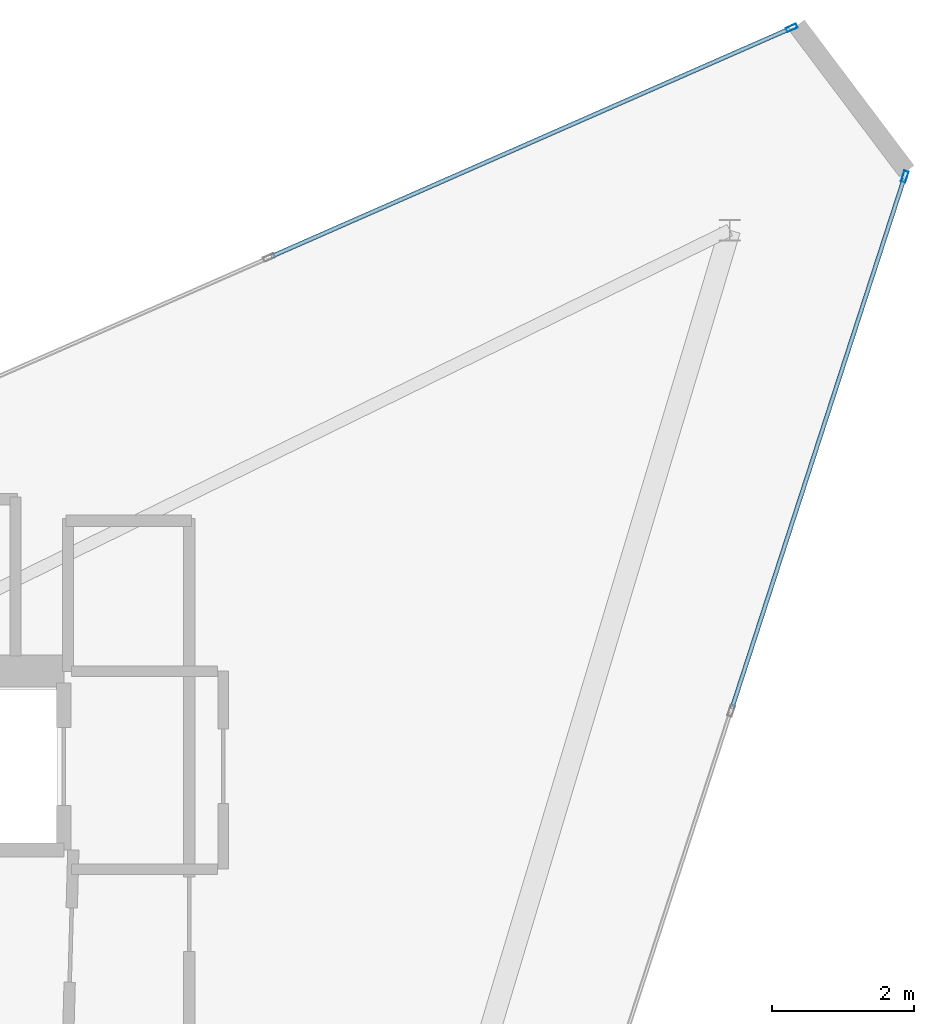
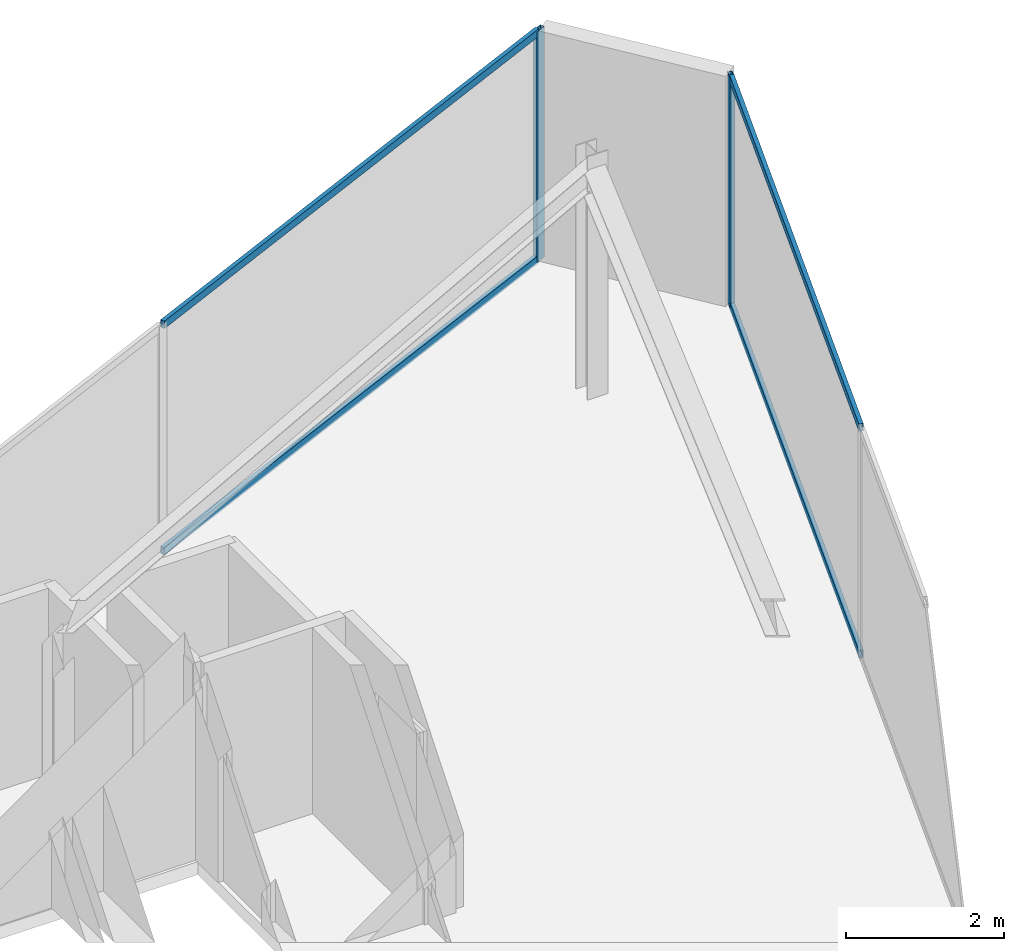
# One storey, part 11 of 14: 6 members, 2 elements without a shape of their own.
"""IFC4 building model written with IfcOpenShell, lengths in metres."""

from ifc_helpers import new_model, si_unit, direction, frame, origin, origin_2d, place, context, subcontext, project, spatial, hollow_rectangle, extrude, material, layer, layer_set, material_profile, profile_set, type_object, element, aggregate, save


model = new_model("IFC4")

# Units and contexts
model_context = context("Model", 3, precision=1e-05, world=origin(), true_north=direction((0.0, 1.0)))
body_context = subcontext(model_context, "Body", "Model", "MODEL_VIEW")
ifc_project = project(units=[si_unit("LENGTHUNIT", "METRE"), si_unit("AREAUNIT", "SQUARE_METRE"), si_unit("VOLUMEUNIT", "CUBIC_METRE"), si_unit("PLANEANGLEUNIT", "RADIAN"), si_unit("MASSUNIT", "GRAM", prefix="KILO")], contexts=[model_context])

# Site, building, storey
site_placement = place(None, origin())
site = spatial("IfcSite", under=ifc_project, at=site_placement, CompositionType="ELEMENT")
building_placement = place(site_placement, origin())
building = spatial("IfcBuilding", under=site, at=building_placement, Name="Qianvela Tower", CompositionType="ELEMENT")
storey_placement = place(building_placement, frame((0.0, 0.0, 371.300048828125)))
storey = spatial("IfcBuildingStorey", under=building, at=storey_placement, Name="L96", CompositionType="ELEMENT", Elevation=371.300048828125)

# Curtain wall, member
ifc_material_1 = material(Name="Anodised Architectural Aluminium and Low-E Glass", Category="aluminium")
ifc_layer = layer(ifc_material_1, 0.159912109375)
ifc_layer_set = layer_set([ifc_layer], Name="Anodised Architectural Aluminium and Low-E Glass")
curtain_wall_type = type_object("IfcCurtainWallType", Name="CW-CROWN", PredefinedType="USERDEFINED", material=ifc_layer_set)
curtain_wall_1_placement = place(storey_placement, origin())
curtain_wall_1 = element("IfcCurtainWall", 1, at=curtain_wall_1_placement, inside=storey, type_object=curtain_wall_type, Name="L96 CW-CROWN Curtain Wall 02", ObjectType="CURTAIN_WALL_SYSTEM", PredefinedType="USERDEFINED")
ifc_material_2 = material(Name="Anodised Architectural Aluminium 6063-T6", Category="aluminium")
ifc_material_profile_1 = material_profile(ifc_material_2, hollow_rectangle(XDim=0.06494140625, YDim=0.159912109375, WallThickness=0.0048828125, at=origin_2d()), Name="ALU-MULL-65x160")
ifc_profile_set_1 = profile_set([ifc_material_profile_1], Name="Anodised Architectural Aluminium 6063-T6")
member_type_1 = type_object("IfcMemberType", Name="CW-CROWN-MULL", PredefinedType="MULLION", material=ifc_profile_set_1)
member_1_placement = place(storey_placement, frame((50.121826171875, 41.721435546875, 0.0), z_axis=(0.0, 0.0, 1.0), x_axis=(0.402169726796, -0.915565131954, 0.0)))
member_1 = element("IfcMember", 2, at=member_1_placement, type_object=member_type_1, Name="CW-8 mullion 1", PredefinedType="MULLION", context=body_context, shape_type="SweptSolid", body=[
    extrude(hollow_rectangle(XDim=0.06494140625, YDim=0.159912109375, WallThickness=0.0048828125, at=origin_2d()), origin(), (0.0, 0.0, 1.0), 3.550048828125),
])

curtain_wall_2_placement = place(storey_placement, origin())
curtain_wall_2 = element("IfcCurtainWall", 3, at=curtain_wall_2_placement, inside=storey, type_object=curtain_wall_type, Name="L96 CW-CROWN Curtain Wall 06", ObjectType="CURTAIN_WALL_SYSTEM", PredefinedType="USERDEFINED")
member_2_placement = place(storey_placement, frame((51.71826171875, 39.623291015625, 0.0), z_axis=(0.0, 0.0, 1.0), x_axis=(-0.951026796668, 0.309108447019, 0.0)))
member_2 = element("IfcMember", 4, at=member_2_placement, type_object=member_type_1, Name="CW-8 mullion 5", PredefinedType="MULLION", context=body_context, shape_type="SweptSolid", body=[
    extrude(hollow_rectangle(XDim=0.06494140625, YDim=0.159912109375, WallThickness=0.0048828125, at=origin_2d()), origin(), (0.0, 0.0, 1.0), 3.550048828125),
])

# Member
ifc_material_3 = material(Name="Anodised Architectural Aluminium 6063-T6", Category="aluminium")
ifc_material_profile_2 = material_profile(ifc_material_3, hollow_rectangle(XDim=0.06005859375, YDim=0.114990234375, WallThickness=0.00390625, at=origin_2d()), Name="ALU-TRAN-60x115")
ifc_profile_set_2 = profile_set([ifc_material_profile_2], Name="Anodised Architectural Aluminium 6063-T6")
member_type_2 = type_object("IfcMemberType", Name="CW-CROWN-TRAN", PredefinedType="USERDEFINED", material=ifc_profile_set_2)
member_3_placement = place(storey_placement, frame((50.09228515625, 41.708251953125, 0.030029296875), z_axis=(-0.915571610493, -0.402154977662, 0.0), x_axis=(0.402154977662, -0.915571610493, 0.0)))
member_3 = element("IfcMember", 5, at=member_3_placement, type_object=member_type_2, Name="CW-8 transom 1.1", ObjectType="TRANSOM", PredefinedType="USERDEFINED", context=body_context, shape_type="SweptSolid", body=[
    extrude(hollow_rectangle(XDim=0.06005859375, YDim=0.114990234375, WallThickness=0.00390625, at=origin_2d()), origin(), (0.0, 0.0, 1.0), 7.99169921875),
])

member_4_placement = place(storey_placement, frame((50.09228515625, 41.708251953125, 3.52001953125), z_axis=(-0.915571610493, -0.402154977662, 0.0), x_axis=(0.402154977662, -0.915571610493, 0.0)))
member_4 = element("IfcMember", 6, at=member_4_placement, type_object=member_type_2, Name="CW-8 transom 1.2", ObjectType="TRANSOM", PredefinedType="USERDEFINED", context=body_context, shape_type="SweptSolid", body=[
    extrude(hollow_rectangle(XDim=0.06005859375, YDim=0.114990234375, WallThickness=0.00390625, at=origin_2d()), origin(), (0.0, 0.0, 1.0), 7.99169921875),
])

aggregate(curtain_wall_1, [member_1, member_3, member_4])

member_5_placement = place(storey_placement, frame((49.2783203125, 32.116455078125, 0.030029296875), z_axis=(0.309090988269, 0.951032471039, 0.0), x_axis=(-0.951032471039, 0.309090988269, 0.0)))
member_5 = element("IfcMember", 7, at=member_5_placement, type_object=member_type_2, Name="CW-8 transom 4.1", ObjectType="TRANSOM", PredefinedType="USERDEFINED", context=body_context, shape_type="SweptSolid", body=[
    extrude(hollow_rectangle(XDim=0.06005859375, YDim=0.114990234375, WallThickness=0.00390625, at=origin_2d()), origin(), (0.0, 0.0, 1.0), 7.86083984375),
])

member_6_placement = place(storey_placement, frame((49.2783203125, 32.116455078125, 3.52001953125), z_axis=(0.309090988269, 0.951032471039, 0.0), x_axis=(-0.951032471039, 0.309090988269, 0.0)))
member_6 = element("IfcMember", 8, at=member_6_placement, type_object=member_type_2, Name="CW-8 transom 4.2", ObjectType="TRANSOM", PredefinedType="USERDEFINED", context=body_context, shape_type="SweptSolid", body=[
    extrude(hollow_rectangle(XDim=0.06005859375, YDim=0.114990234375, WallThickness=0.00390625, at=origin_2d()), origin(), (0.0, 0.0, 1.0), 7.86083984375),
])

aggregate(curtain_wall_2, [member_2, member_5, member_6])

save(model, "model.ifc")
